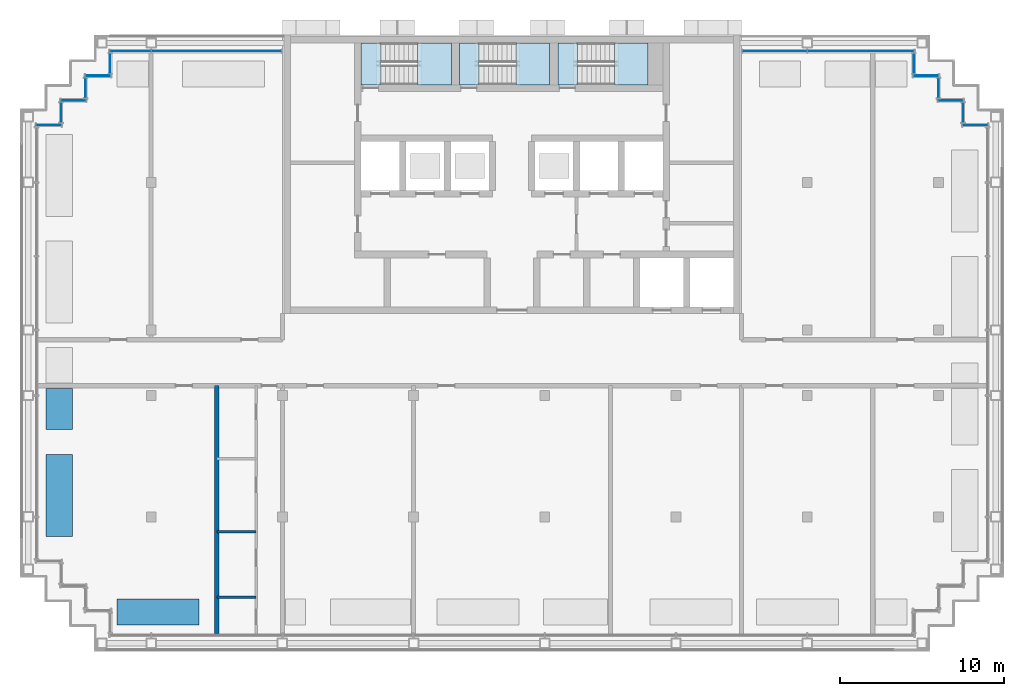
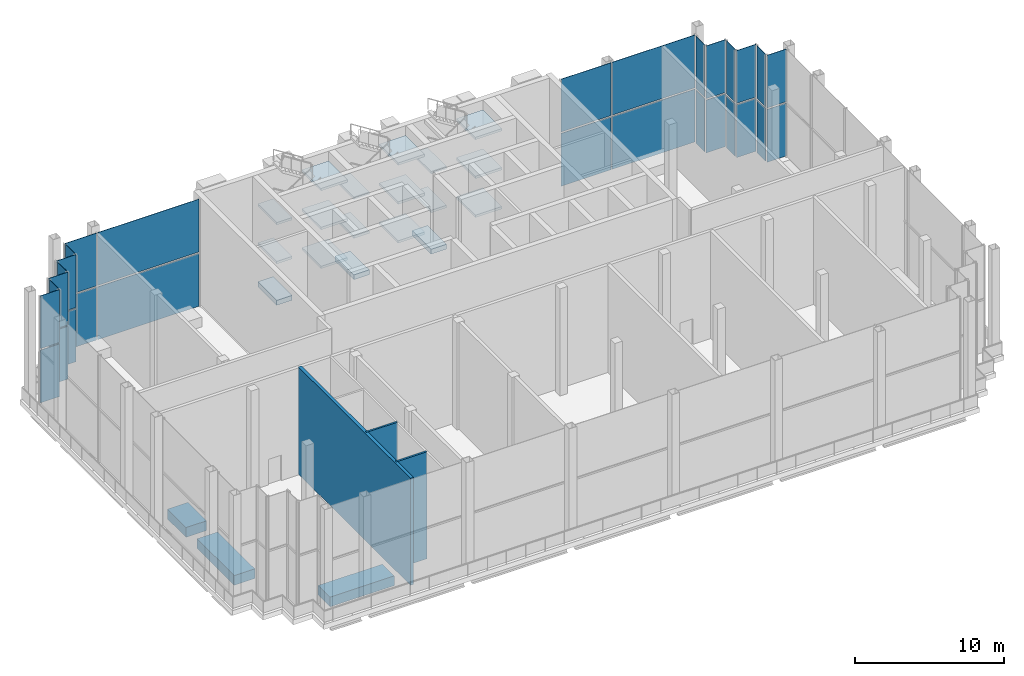
# One storey, part 7 of 15: 32 plates, 18 slabs, 6 walls, 17 elements without a shape of their own.
"""IFC4 building model written with IfcOpenShell, lengths in metres."""

import ifcopenshell
import ifcopenshell.guid

model = None  # the IFC model being written
_history = None  # IfcOwnerHistory: only IFC2X3 demands one
_inside = {}  # id of a spatial element -> (the spatial element, [elements in it])
_under = {}  # id of a project, library or spatial element -> (it, [spatial elements below it])
_declared = {}  # id of a project -> (the project, [libraries it declares])
_typed = {}  # id of a type object -> (the type object, [elements of that type])
_made_of = {}  # id of a material, layer set ... -> (it, [elements and type objects made of it])


def new_model(schema):
    """Start an empty IFC model of exactly this schema.

    Asked for "IFC4X3", IfcOpenShell would pick the latest addendum, in which some entities
    have other attributes; the version numbers below select the first issue.
    IFC2X3 requires an IfcOwnerHistory on every rooted entity: one is made here for all.
    """
    global model, _history
    if schema == "IFC4X3":
        model = ifcopenshell.file(schema_version=(4, 3, 0, 0))
    else:
        model = ifcopenshell.file(schema=schema)
    _inside.clear()
    _under.clear()
    _declared.clear()
    _typed.clear()
    _made_of.clear()
    _history = None
    if model.schema == "IFC2X3":
        org = make("IfcOrganization", Name="unknown")
        user = make(
            "IfcPersonAndOrganization",
            ThePerson=make("IfcPerson", FamilyName="unknown"),
            TheOrganization=org,
        )
        app = make(
            "IfcApplication",
            ApplicationDeveloper=org,
            Version="unknown",
            ApplicationFullName="unknown",
            ApplicationIdentifier="unknown",
        )
        _history = make(
            "IfcOwnerHistory",
            OwningUser=user,
            OwningApplication=app,
            ChangeAction="ADDED",
            CreationDate=0,
        )
    return model


def make(cls, **values):
    """One entity of the class cls with the attributes given. An attribute that is None is left unset."""
    return model.create_entity(
        cls, **{name: value for name, value in values.items() if value is not None}
    )


def rooted(cls, **values):
    """An entity with a GlobalId (a new one), such as an element, a storey or a relation."""
    return make(cls, GlobalId=ifcopenshell.guid.new(), OwnerHistory=_history, **values)


def si_unit(unit_type, name, prefix=None):
    """IfcSIUnit, for example si_unit("LENGTHUNIT", "METRE", prefix="MILLI")."""
    return make("IfcSIUnit", UnitType=unit_type, Prefix=prefix, Name=name)


def assignment(units):
    """IfcUnitAssignment: the units of a project."""
    return None if units is None else make("IfcUnitAssignment", Units=units)


def point(xyz):
    """IfcCartesianPoint."""
    return None if xyz is None else make("IfcCartesianPoint", Coordinates=xyz)


def direction(xyz):
    """IfcDirection."""
    return None if xyz is None else make("IfcDirection", DirectionRatios=xyz)


def frame(location, z_axis=None, x_axis=None):
    """IfcAxis2Placement3D, a coordinate frame: its origin and axes. An axis left out is left unset."""
    return make(
        "IfcAxis2Placement3D",
        Location=point(location),
        Axis=direction(z_axis),
        RefDirection=direction(x_axis),
    )


def frame_2d(location, x_axis=None):
    """IfcAxis2Placement2D, a coordinate frame in the plane: its origin and x axis."""
    return make(
        "IfcAxis2Placement2D", Location=point(location), RefDirection=direction(x_axis)
    )


def origin():
    """The frame at (0, 0, 0) with its axes left unset."""
    return frame((0.0, 0.0, 0.0))


def origin_2d():
    """The frame at (0, 0) in the plane with its x axis left unset."""
    return frame_2d((0.0, 0.0))


def place(relative_to, where):
    """IfcLocalPlacement: puts the frame where relative to a parent placement (None: the world)."""
    return make(
        "IfcLocalPlacement", PlacementRelTo=relative_to, RelativePlacement=where
    )


def context(
    kind, dimensions, precision=None, world=None, true_north=None, identifier=None
):
    """IfcGeometricRepresentationContext, for example the 3D "Model" context."""
    return make(
        "IfcGeometricRepresentationContext",
        ContextIdentifier=identifier,
        ContextType=kind,
        CoordinateSpaceDimension=dimensions,
        Precision=precision,
        WorldCoordinateSystem=world,
        TrueNorth=true_north,
    )


def subcontext(parent, identifier, kind, view, scale=None):
    """IfcGeometricRepresentationSubContext, for example "Body" below "Model"."""
    return make(
        "IfcGeometricRepresentationSubContext",
        ContextIdentifier=identifier,
        ContextType=kind,
        ParentContext=parent,
        TargetScale=scale,
        TargetView=view,
    )


def project(units=None, contexts=None):
    """IfcProject with its units and contexts."""
    return rooted(
        "IfcProject",
        Name="project",
        RepresentationContexts=contexts,
        UnitsInContext=assignment(units),
    )


def spatial(cls, under=None, at=None, **own):
    """A site, building, storey or space (cls), placed at a placement, below another one or the project."""
    s = rooted(cls, ObjectPlacement=at, **own)
    if under is not None:
        _under.setdefault(under.id(), (under, []))[1].append(s)
    return s


def polyline(points):
    """IfcPolyline through the points."""
    return make("IfcPolyline", Points=[point(p) for p in points])


def profile(cls, at=None, kind="AREA", **sizes):
    """A parametric profile (cls). Its sizes go by their IFC names, for example OverallWidth=200.0."""
    return make(cls, ProfileType=kind, Position=at, **sizes)


def rectangle(**sizes):
    """IfcRectangleProfileDef."""
    return profile("IfcRectangleProfileDef", **sizes)


def outline(outer, holes=None, kind="AREA"):
    """IfcArbitraryClosedProfileDef: a profile drawn as a closed curve; with holes, ...WithVoids."""
    if holes is None:
        return make("IfcArbitraryClosedProfileDef", ProfileType=kind, OuterCurve=outer)
    return make(
        "IfcArbitraryProfileDefWithVoids",
        ProfileType=kind,
        OuterCurve=outer,
        InnerCurves=holes,
    )


def extrude(swept, where, along, depth):
    """IfcExtrudedAreaSolid: the profile swept, set in the frame where, extruded along a direction by depth."""
    return make(
        "IfcExtrudedAreaSolid",
        SweptArea=swept,
        Position=where,
        ExtrudedDirection=direction(along),
        Depth=depth,
    )


def shape(context_of_items, identifier, shape_type, items):
    """IfcShapeRepresentation: the items that make up one representation, for example the "Body"."""
    return make(
        "IfcShapeRepresentation",
        ContextOfItems=context_of_items,
        RepresentationIdentifier=identifier,
        RepresentationType=shape_type,
        Items=items,
    )


def material(Name=None, Category=None):
    """IfcMaterial."""
    return make("IfcMaterial", Name=Name, Category=Category)


def layer(
    of_material, thickness, ventilated=None, Name=None, Category=None, Priority=None
):
    """IfcMaterialLayer: one layer of a wall or slab, of a material (None: an air gap)."""
    return make(
        "IfcMaterialLayer",
        Material=of_material,
        LayerThickness=thickness,
        IsVentilated=ventilated,
        Name=Name,
        Category=Category,
        Priority=Priority,
    )


def layer_set(layers, Name=None):
    """IfcMaterialLayerSet."""
    return make("IfcMaterialLayerSet", MaterialLayers=layers, LayerSetName=Name)


def made_of(thing, what):
    """Note that an element or type object is made of a material, layer set ...; save() writes the relation."""
    if what is not None:
        _made_of.setdefault(what.id(), (what, []))[1].append(thing)
    return thing


def type_object(cls, material=None, **own):
    """A type object (cls), such as IfcWallType, which elements share."""
    return made_of(rooted(cls, **own), material)


def element(
    cls,
    number,
    at=None,
    inside=None,
    cuts=None,
    type_object=None,
    material=None,
    context=None,
    identifier="Body",
    shape_type=None,
    held_by="IfcProductDefinitionShape",
    body=None,
    shapes=None,
    **own,
):
    """One element of the class cls, such as IfcWall. Its Tag is "e" and its number.

    at: its placement. inside: the storey or other place that contains it. cuts: it is an
    opening in that element (IfcRelVoidsElement). A single representation is given by context,
    identifier, shape_type and body (its items); several are given by shapes. held_by: the class
    of the entity that holds the representations. save() writes the other relations.
    """
    e = rooted(cls, Tag="e%d" % number, ObjectPlacement=at, **own)
    if body is not None:
        shapes = [shape(context, identifier, shape_type, body)]
    if shapes is not None:
        e.Representation = make(held_by, Representations=shapes)
    if inside is not None:
        _inside.setdefault(inside.id(), (inside, []))[1].append(e)
    if cuts is not None:
        rooted(
            "IfcRelVoidsElement", RelatingBuildingElement=cuts, RelatedOpeningElement=e
        )
    if type_object is not None:
        _typed.setdefault(type_object.id(), (type_object, []))[1].append(e)
    return made_of(e, material)


def aggregate(whole, parts):
    """IfcRelAggregates: a whole, such as a stair, and the parts it consists of."""
    return rooted("IfcRelAggregates", RelatingObject=whole, RelatedObjects=parts)


def save(model, path):
    """Write the relations noted so far, then the file.

    IfcRelAggregates (storeys below a building ...), IfcRelContainedInSpatialStructure (elements
    in a storey), IfcRelDefinesByType, IfcRelAssociatesMaterial and IfcRelDeclares: one each for
    every whole, place, type object, material and project.
    """
    for whole, parts in _under.values():
        aggregate(whole, parts)
    for where, things in _inside.values():
        rooted(
            "IfcRelContainedInSpatialStructure",
            RelatedElements=things,
            RelatingStructure=where,
        )
    for kind, things in _typed.values():
        rooted("IfcRelDefinesByType", RelatedObjects=things, RelatingType=kind)
    for what, things in _made_of.values():
        rooted("IfcRelAssociatesMaterial", RelatedObjects=things, RelatingMaterial=what)
    for by, libraries in _declared.values():
        rooted("IfcRelDeclares", RelatingContext=by, RelatedDefinitions=libraries)
    model.write(path)


model = new_model("IFC4")

# Units and contexts
model_context = context("Model", 3, precision=1e-05, world=origin(), true_north=direction((0.0, 1.0)))
body_context = subcontext(model_context, "Body", "Model", "MODEL_VIEW")
ifc_project = project(units=[si_unit("LENGTHUNIT", "METRE"), si_unit("AREAUNIT", "SQUARE_METRE"), si_unit("VOLUMEUNIT", "CUBIC_METRE"), si_unit("PLANEANGLEUNIT", "RADIAN"), si_unit("MASSUNIT", "GRAM", prefix="KILO")], contexts=[model_context])

# Site, building, storey
site_placement = place(None, origin())
site = spatial("IfcSite", under=ifc_project, at=site_placement, CompositionType="ELEMENT")
building_placement = place(site_placement, origin())
building = spatial("IfcBuilding", under=site, at=building_placement, Name="Vidyagriha Tower", CompositionType="ELEMENT")
storey_placement = place(building_placement, frame((0.0, 0.0, 239.60009765625)))
storey = spatial("IfcBuildingStorey", under=building, at=storey_placement, Name="L63", CompositionType="ELEMENT", Elevation=239.60009765625)

# Slabs
ifc_material_1 = material(Name="Concrete C40/50", Category="concrete")
ifc_layer_1 = layer(ifc_material_1, 0.39990234375)
ifc_layer_set_1 = layer_set([ifc_layer_1], Name="Concrete C40/50")
slab_type_1 = type_object("IfcSlabType", Name="Exit stair floor landing 400 mm", PredefinedType="LANDING", material=ifc_layer_set_1)
slab_1_placement = place(storey_placement, frame((0.0, 0.0, -0.400146484375)))
element("IfcSlab", 1, at=slab_1_placement, inside=storey, type_object=slab_type_1, Name="ST1 floor landing L63", PredefinedType="LANDING", context=body_context, shape_type="SweptSolid", body=[
    extrude(outline(polyline([(-9.199951171875, 16.949951171875), (-8.0, 16.949951171875), (-8.0, 19.5), (-9.199951171875, 19.5), (-9.199951171875, 16.949951171875)])), origin(), (0.0, 0.0, 1.0), 0.400146484375),
])
slab_2_placement = place(storey_placement, frame((0.0, 0.0, -0.400146484375)))
element("IfcSlab", 2, at=slab_2_placement, inside=storey, type_object=slab_type_1, Name="ST2 floor landing L63", PredefinedType="LANDING", context=body_context, shape_type="SweptSolid", body=[
    extrude(outline(polyline([(-3.199951171875, 16.949951171875), (-2.0, 16.949951171875), (-2.0, 19.5), (-3.199951171875, 19.5), (-3.199951171875, 16.949951171875)])), origin(), (0.0, 0.0, 1.0), 0.400146484375),
])
slab_3_placement = place(storey_placement, frame((0.0, 0.0, -0.400146484375)))
element("IfcSlab", 3, at=slab_3_placement, inside=storey, type_object=slab_type_1, Name="ST3 floor landing L63", PredefinedType="LANDING", context=body_context, shape_type="SweptSolid", body=[
    extrude(outline(polyline([(2.800048828125, 16.949951171875), (4.0, 16.949951171875), (4.0, 19.5), (2.800048828125, 19.5), (2.800048828125, 16.949951171875)])), origin(), (0.0, 0.0, 1.0), 0.400146484375),
])

# Stair, slabs
ifc_material_2 = material(Name="Concrete C40/50", Category="concrete")
stair_type = type_object("IfcStairType", Name="Exit stair, half-turn, precast flights", PredefinedType="HALF_TURN_STAIR", material=ifc_material_2)
stair_1_placement = place(storey_placement, origin())
stair_1 = element("IfcStair", 4, at=stair_1_placement, inside=storey, type_object=stair_type, Name="L63 Exit Stair ST1", PredefinedType="HALF_TURN_STAIR")
ifc_material_3 = material(Name="Concrete C40/50", Category="concrete")
ifc_layer_2 = layer(ifc_material_3, 0.199951171875)
ifc_layer_set_2 = layer_set([ifc_layer_2], Name="Concrete C40/50")
slab_type_2 = type_object("IfcSlabType", Name="Exit stair landing 200 mm", PredefinedType="LANDING", material=ifc_layer_set_2)
slab_4_placement = place(storey_placement, frame((0.0, 0.0, 1.39990234375)))
slab_4 = element("IfcSlab", 5, at=slab_4_placement, type_object=slab_type_2, Name="ST1 landing 1", PredefinedType="LANDING", context=body_context, shape_type="SweptSolid", body=[
    extrude(outline(polyline([(-5.760009765625, 16.949951171875), (-3.699951171875, 16.949951171875), (-3.699951171875, 19.5), (-5.760009765625, 19.5), (-5.760009765625, 16.949951171875)])), origin(), (0.0, 0.0, 1.0), 0.199951171875),
])
slab_5_placement = place(storey_placement, frame((0.0, 0.0, 3.0)))
slab_5 = element("IfcSlab", 6, at=slab_5_placement, type_object=slab_type_2, Name="ST1 landing 2", PredefinedType="LANDING", context=body_context, shape_type="SweptSolid", body=[
    extrude(outline(polyline([(-9.199951171875, 16.949951171875), (-8.0, 16.949951171875), (-8.0, 19.5), (-9.199951171875, 19.5), (-9.199951171875, 16.949951171875)])), origin(), (0.0, 0.0, 1.0), 0.199951171875),
])
slab_6_placement = place(storey_placement, frame((0.0, 0.0, 4.599853515625)))
slab_6 = element("IfcSlab", 7, at=slab_6_placement, type_object=slab_type_2, Name="ST1 landing 3", PredefinedType="LANDING", context=body_context, shape_type="SweptSolid", body=[
    extrude(outline(polyline([(-5.760009765625, 16.949951171875), (-3.699951171875, 16.949951171875), (-3.699951171875, 19.5), (-5.760009765625, 19.5), (-5.760009765625, 16.949951171875)])), origin(), (0.0, 0.0, 1.0), 0.199951171875),
])
slab_7_placement = place(storey_placement, frame((0.0, 0.0, 6.199951171875)))
slab_7 = element("IfcSlab", 8, at=slab_7_placement, type_object=slab_type_2, Name="ST1 landing 4", PredefinedType="LANDING", context=body_context, shape_type="SweptSolid", body=[
    extrude(outline(polyline([(-9.199951171875, 16.949951171875), (-8.0, 16.949951171875), (-8.0, 19.5), (-9.199951171875, 19.5), (-9.199951171875, 16.949951171875)])), origin(), (0.0, 0.0, 1.0), 0.199951171875),
])
slab_8_placement = place(storey_placement, frame((0.0, 0.0, 7.7998046875)))
slab_8 = element("IfcSlab", 9, at=slab_8_placement, type_object=slab_type_2, Name="ST1 landing 5", PredefinedType="LANDING", context=body_context, shape_type="SweptSolid", body=[
    extrude(outline(polyline([(-5.760009765625, 16.949951171875), (-3.699951171875, 16.949951171875), (-3.699951171875, 19.5), (-5.760009765625, 19.5), (-5.760009765625, 16.949951171875)])), origin(), (0.0, 0.0, 1.0), 0.2001953125),
])
aggregate(stair_1, [slab_4, slab_5, slab_6, slab_7, slab_8])

stair_2_placement = place(storey_placement, origin())
stair_2 = element("IfcStair", 10, at=stair_2_placement, inside=storey, type_object=stair_type, Name="L63 Exit Stair ST2", PredefinedType="HALF_TURN_STAIR")
slab_9_placement = place(storey_placement, frame((0.0, 0.0, 1.39990234375)))
slab_9 = element("IfcSlab", 11, at=slab_9_placement, type_object=slab_type_2, Name="ST2 landing 1", PredefinedType="LANDING", context=body_context, shape_type="SweptSolid", body=[
    extrude(outline(polyline([(0.239990234375, 16.949951171875), (2.300048828125, 16.949951171875), (2.300048828125, 19.5), (0.239990234375, 19.5), (0.239990234375, 16.949951171875)])), origin(), (0.0, 0.0, 1.0), 0.199951171875),
])
slab_10_placement = place(storey_placement, frame((0.0, 0.0, 3.0)))
slab_10 = element("IfcSlab", 12, at=slab_10_placement, type_object=slab_type_2, Name="ST2 landing 2", PredefinedType="LANDING", context=body_context, shape_type="SweptSolid", body=[
    extrude(outline(polyline([(-3.199951171875, 16.949951171875), (-2.0, 16.949951171875), (-2.0, 19.5), (-3.199951171875, 19.5), (-3.199951171875, 16.949951171875)])), origin(), (0.0, 0.0, 1.0), 0.199951171875),
])
slab_11_placement = place(storey_placement, frame((0.0, 0.0, 4.599853515625)))
slab_11 = element("IfcSlab", 13, at=slab_11_placement, type_object=slab_type_2, Name="ST2 landing 3", PredefinedType="LANDING", context=body_context, shape_type="SweptSolid", body=[
    extrude(outline(polyline([(0.239990234375, 16.949951171875), (2.300048828125, 16.949951171875), (2.300048828125, 19.5), (0.239990234375, 19.5), (0.239990234375, 16.949951171875)])), origin(), (0.0, 0.0, 1.0), 0.199951171875),
])
slab_12_placement = place(storey_placement, frame((0.0, 0.0, 6.199951171875)))
slab_12 = element("IfcSlab", 14, at=slab_12_placement, type_object=slab_type_2, Name="ST2 landing 4", PredefinedType="LANDING", context=body_context, shape_type="SweptSolid", body=[
    extrude(outline(polyline([(-3.199951171875, 16.949951171875), (-2.0, 16.949951171875), (-2.0, 19.5), (-3.199951171875, 19.5), (-3.199951171875, 16.949951171875)])), origin(), (0.0, 0.0, 1.0), 0.199951171875),
])
slab_13_placement = place(storey_placement, frame((0.0, 0.0, 7.7998046875)))
slab_13 = element("IfcSlab", 15, at=slab_13_placement, type_object=slab_type_2, Name="ST2 landing 5", PredefinedType="LANDING", context=body_context, shape_type="SweptSolid", body=[
    extrude(outline(polyline([(0.239990234375, 16.949951171875), (2.300048828125, 16.949951171875), (2.300048828125, 19.5), (0.239990234375, 19.5), (0.239990234375, 16.949951171875)])), origin(), (0.0, 0.0, 1.0), 0.2001953125),
])
aggregate(stair_2, [slab_9, slab_10, slab_11, slab_12, slab_13])

stair_3_placement = place(storey_placement, origin())
stair_3 = element("IfcStair", 16, at=stair_3_placement, inside=storey, type_object=stair_type, Name="L63 Exit Stair ST3", PredefinedType="HALF_TURN_STAIR")
slab_14_placement = place(storey_placement, frame((0.0, 0.0, 1.39990234375)))
slab_14 = element("IfcSlab", 17, at=slab_14_placement, type_object=slab_type_2, Name="ST3 landing 1", PredefinedType="LANDING", context=body_context, shape_type="SweptSolid", body=[
    extrude(outline(polyline([(6.239990234375, 16.949951171875), (8.300048828125, 16.949951171875), (8.300048828125, 19.5), (6.239990234375, 19.5), (6.239990234375, 16.949951171875)])), origin(), (0.0, 0.0, 1.0), 0.199951171875),
])
slab_15_placement = place(storey_placement, frame((0.0, 0.0, 3.0)))
slab_15 = element("IfcSlab", 18, at=slab_15_placement, type_object=slab_type_2, Name="ST3 landing 2", PredefinedType="LANDING", context=body_context, shape_type="SweptSolid", body=[
    extrude(outline(polyline([(2.800048828125, 16.949951171875), (4.0, 16.949951171875), (4.0, 19.5), (2.800048828125, 19.5), (2.800048828125, 16.949951171875)])), origin(), (0.0, 0.0, 1.0), 0.199951171875),
])
slab_16_placement = place(storey_placement, frame((0.0, 0.0, 4.599853515625)))
slab_16 = element("IfcSlab", 19, at=slab_16_placement, type_object=slab_type_2, Name="ST3 landing 3", PredefinedType="LANDING", context=body_context, shape_type="SweptSolid", body=[
    extrude(outline(polyline([(6.239990234375, 16.949951171875), (8.300048828125, 16.949951171875), (8.300048828125, 19.5), (6.239990234375, 19.5), (6.239990234375, 16.949951171875)])), origin(), (0.0, 0.0, 1.0), 0.199951171875),
])
slab_17_placement = place(storey_placement, frame((0.0, 0.0, 6.199951171875)))
slab_17 = element("IfcSlab", 20, at=slab_17_placement, type_object=slab_type_2, Name="ST3 landing 4", PredefinedType="LANDING", context=body_context, shape_type="SweptSolid", body=[
    extrude(outline(polyline([(2.800048828125, 16.949951171875), (4.0, 16.949951171875), (4.0, 19.5), (2.800048828125, 19.5), (2.800048828125, 16.949951171875)])), origin(), (0.0, 0.0, 1.0), 0.199951171875),
])
slab_18_placement = place(storey_placement, frame((0.0, 0.0, 7.7998046875)))
slab_18 = element("IfcSlab", 21, at=slab_18_placement, type_object=slab_type_2, Name="ST3 landing 5", PredefinedType="LANDING", context=body_context, shape_type="SweptSolid", body=[
    extrude(outline(polyline([(6.239990234375, 16.949951171875), (8.300048828125, 16.949951171875), (8.300048828125, 19.5), (6.239990234375, 19.5), (6.239990234375, 16.949951171875)])), origin(), (0.0, 0.0, 1.0), 0.2001953125),
])
aggregate(stair_3, [slab_14, slab_15, slab_16, slab_17, slab_18])

# Curtain wall, plates
ifc_material_4 = material(Name="Aluminium and glass curtain wall", Category="aluminium")
curtain_wall_type = type_object("IfcCurtainWallType", Name="Winter garden glazing wall", PredefinedType="USERDEFINED", material=ifc_material_4)
curtain_wall_1_placement = place(storey_placement, origin())
curtain_wall_1 = element("IfcCurtainWall", 22, at=curtain_wall_1_placement, inside=storey, type_object=curtain_wall_type, Name="CW3 winter garden glazing", ObjectType="STICK GLAZING", PredefinedType="USERDEFINED")
ifc_material_5 = material(Name="Laminated green-tint solar-control glass", Category="glass")
ifc_layer_3 = layer(ifc_material_5, 0.031982421875)
ifc_layer_set_3 = layer_set([ifc_layer_3], Name="Laminated green-tint solar-control glass")
plate_type = type_object("IfcPlateType", Name="Green-tint winter garden glass panel", PredefinedType="CURTAIN_PANEL", material=ifc_layer_set_3)
plate_1_placement = place(storey_placement, frame((28.25, 14.5, 0.0), z_axis=(0.0, 0.0, 1.0), x_axis=(-1.0, 0.0, 0.0)))
plate_1 = element("IfcPlate", 23, at=plate_1_placement, type_object=plate_type, Name="CW3 panel 1.1", PredefinedType="CURTAIN_PANEL", context=body_context, shape_type="SweptSolid", body=[
    extrude(rectangle(XDim=1.5, YDim=0.031982421875, at=origin_2d()), origin(), (0.0, 0.0, 1.0), 4.340087890625),
])
plate_2_placement = place(storey_placement, frame((28.25, 14.5, 4.4599609375), z_axis=(0.0, 0.0, 1.0), x_axis=(-1.0, 0.0, 0.0)))
plate_2 = element("IfcPlate", 24, at=plate_2_placement, type_object=plate_type, Name="CW3 panel 1.2", PredefinedType="CURTAIN_PANEL", context=body_context, shape_type="SweptSolid", body=[
    extrude(rectangle(XDim=1.5, YDim=0.031982421875, at=origin_2d()), origin(), (0.0, 0.0, 1.0), 4.340087890625),
])
aggregate(curtain_wall_1, [plate_1, plate_2])

curtain_wall_2_placement = place(storey_placement, origin())
curtain_wall_2 = element("IfcCurtainWall", 25, at=curtain_wall_2_placement, inside=storey, type_object=curtain_wall_type, Name="CW3 winter garden glazing", ObjectType="STICK GLAZING", PredefinedType="USERDEFINED")
plate_3_placement = place(storey_placement, frame((27.5, 15.25, 0.0), z_axis=(0.0, 0.0, 1.0), x_axis=(0.0, 1.0, 0.0)))
plate_3 = element("IfcPlate", 26, at=plate_3_placement, type_object=plate_type, Name="CW3 panel 1.1", PredefinedType="CURTAIN_PANEL", context=body_context, shape_type="SweptSolid", body=[
    extrude(rectangle(XDim=1.179931640625, YDim=0.031982421875, at=origin_2d()), origin(), (0.0, 0.0, 1.0), 4.340087890625),
])
plate_4_placement = place(storey_placement, frame((27.5, 15.25, 4.4599609375), z_axis=(0.0, 0.0, 1.0), x_axis=(0.0, 1.0, 0.0)))
plate_4 = element("IfcPlate", 27, at=plate_4_placement, type_object=plate_type, Name="CW3 panel 1.2", PredefinedType="CURTAIN_PANEL", context=body_context, shape_type="SweptSolid", body=[
    extrude(rectangle(XDim=1.179931640625, YDim=0.031982421875, at=origin_2d()), origin(), (0.0, 0.0, 1.0), 4.340087890625),
])
aggregate(curtain_wall_2, [plate_3, plate_4])

curtain_wall_3_placement = place(storey_placement, origin())
curtain_wall_3 = element("IfcCurtainWall", 28, at=curtain_wall_3_placement, inside=storey, type_object=curtain_wall_type, Name="CW3 winter garden glazing", ObjectType="STICK GLAZING", PredefinedType="USERDEFINED")
plate_5_placement = place(storey_placement, frame((26.75, 16.0, 0.0), z_axis=(0.0, 0.0, 1.0), x_axis=(-1.0, 0.0, 0.0)))
plate_5 = element("IfcPlate", 29, at=plate_5_placement, type_object=plate_type, Name="CW3 panel 1.1", PredefinedType="CURTAIN_PANEL", context=body_context, shape_type="SweptSolid", body=[
    extrude(rectangle(XDim=1.5, YDim=0.031982421875, at=origin_2d()), origin(), (0.0, 0.0, 1.0), 4.340087890625),
])
plate_6_placement = place(storey_placement, frame((26.75, 16.0, 4.4599609375), z_axis=(0.0, 0.0, 1.0), x_axis=(-1.0, 0.0, 0.0)))
plate_6 = element("IfcPlate", 30, at=plate_6_placement, type_object=plate_type, Name="CW3 panel 1.2", PredefinedType="CURTAIN_PANEL", context=body_context, shape_type="SweptSolid", body=[
    extrude(rectangle(XDim=1.5, YDim=0.031982421875, at=origin_2d()), origin(), (0.0, 0.0, 1.0), 4.340087890625),
])
aggregate(curtain_wall_3, [plate_5, plate_6])

curtain_wall_4_placement = place(storey_placement, origin())
curtain_wall_4 = element("IfcCurtainWall", 31, at=curtain_wall_4_placement, inside=storey, type_object=curtain_wall_type, Name="CW3 winter garden glazing", ObjectType="STICK GLAZING", PredefinedType="USERDEFINED")
plate_7_placement = place(storey_placement, frame((26.0, 16.75, 0.0), z_axis=(0.0, 0.0, 1.0), x_axis=(0.0, 1.0, 0.0)))
plate_7 = element("IfcPlate", 32, at=plate_7_placement, type_object=plate_type, Name="CW3 panel 1.1", PredefinedType="CURTAIN_PANEL", context=body_context, shape_type="SweptSolid", body=[
    extrude(rectangle(XDim=1.179931640625, YDim=0.031982421875, at=origin_2d()), origin(), (0.0, 0.0, 1.0), 4.340087890625),
])
plate_8_placement = place(storey_placement, frame((26.0, 16.75, 4.4599609375), z_axis=(0.0, 0.0, 1.0), x_axis=(0.0, 1.0, 0.0)))
plate_8 = element("IfcPlate", 33, at=plate_8_placement, type_object=plate_type, Name="CW3 panel 1.2", PredefinedType="CURTAIN_PANEL", context=body_context, shape_type="SweptSolid", body=[
    extrude(rectangle(XDim=1.179931640625, YDim=0.031982421875, at=origin_2d()), origin(), (0.0, 0.0, 1.0), 4.340087890625),
])
aggregate(curtain_wall_4, [plate_7, plate_8])

curtain_wall_5_placement = place(storey_placement, origin())
curtain_wall_5 = element("IfcCurtainWall", 34, at=curtain_wall_5_placement, inside=storey, type_object=curtain_wall_type, Name="CW3 winter garden glazing", ObjectType="STICK GLAZING", PredefinedType="USERDEFINED")
plate_9_placement = place(storey_placement, frame((25.25, 17.5, 0.0), z_axis=(0.0, 0.0, 1.0), x_axis=(-1.0, 0.0, 0.0)))
plate_9 = element("IfcPlate", 35, at=plate_9_placement, type_object=plate_type, Name="CW3 panel 1.1", PredefinedType="CURTAIN_PANEL", context=body_context, shape_type="SweptSolid", body=[
    extrude(rectangle(XDim=1.5, YDim=0.031982421875, at=origin_2d()), origin(), (0.0, 0.0, 1.0), 4.340087890625),
])
plate_10_placement = place(storey_placement, frame((25.25, 17.5, 4.4599609375), z_axis=(0.0, 0.0, 1.0), x_axis=(-1.0, 0.0, 0.0)))
plate_10 = element("IfcPlate", 36, at=plate_10_placement, type_object=plate_type, Name="CW3 panel 1.2", PredefinedType="CURTAIN_PANEL", context=body_context, shape_type="SweptSolid", body=[
    extrude(rectangle(XDim=1.5, YDim=0.031982421875, at=origin_2d()), origin(), (0.0, 0.0, 1.0), 4.340087890625),
])
aggregate(curtain_wall_5, [plate_9, plate_10])

curtain_wall_6_placement = place(storey_placement, origin())
curtain_wall_6 = element("IfcCurtainWall", 37, at=curtain_wall_6_placement, inside=storey, type_object=curtain_wall_type, Name="CW3 winter garden glazing", ObjectType="STICK GLAZING", PredefinedType="USERDEFINED")
plate_11_placement = place(storey_placement, frame((24.5, 18.25, 0.0), z_axis=(0.0, 0.0, 1.0), x_axis=(0.0, 1.0, 0.0)))
plate_11 = element("IfcPlate", 38, at=plate_11_placement, type_object=plate_type, Name="CW3 panel 1.1", PredefinedType="CURTAIN_PANEL", context=body_context, shape_type="SweptSolid", body=[
    extrude(rectangle(XDim=1.179931640625, YDim=0.031982421875, at=origin_2d()), origin(), (0.0, 0.0, 1.0), 4.340087890625),
])
plate_12_placement = place(storey_placement, frame((24.5, 18.25, 4.4599609375), z_axis=(0.0, 0.0, 1.0), x_axis=(0.0, 1.0, 0.0)))
plate_12 = element("IfcPlate", 39, at=plate_12_placement, type_object=plate_type, Name="CW3 panel 1.2", PredefinedType="CURTAIN_PANEL", context=body_context, shape_type="SweptSolid", body=[
    extrude(rectangle(XDim=1.179931640625, YDim=0.031982421875, at=origin_2d()), origin(), (0.0, 0.0, 1.0), 4.340087890625),
])
aggregate(curtain_wall_6, [plate_11, plate_12])

curtain_wall_7_placement = place(storey_placement, origin())
curtain_wall_7 = element("IfcCurtainWall", 40, at=curtain_wall_7_placement, inside=storey, type_object=curtain_wall_type, Name="CW3 winter garden glazing", ObjectType="STICK GLAZING", PredefinedType="USERDEFINED")
plate_13_placement = place(storey_placement, frame((21.27001953125, 19.0, 0.0), z_axis=(0.0, 0.0, 1.0), x_axis=(-1.0, 0.0, 0.0)))
plate_13 = element("IfcPlate", 41, at=plate_13_placement, type_object=plate_type, Name="CW3 panel 1.1", PredefinedType="CURTAIN_PANEL", context=body_context, shape_type="SweptSolid", body=[
    extrude(rectangle(XDim=6.4599609375, YDim=0.031982421875, at=origin_2d()), origin(), (0.0, 0.0, 1.0), 4.340087890625),
])
plate_14_placement = place(storey_placement, frame((21.27001953125, 19.0, 4.4599609375), z_axis=(0.0, 0.0, 1.0), x_axis=(-1.0, 0.0, 0.0)))
plate_14 = element("IfcPlate", 42, at=plate_14_placement, type_object=plate_type, Name="CW3 panel 1.2", PredefinedType="CURTAIN_PANEL", context=body_context, shape_type="SweptSolid", body=[
    extrude(rectangle(XDim=6.4599609375, YDim=0.031982421875, at=origin_2d()), origin(), (0.0, 0.0, 1.0), 4.340087890625),
])
plate_15_placement = place(storey_placement, frame((16.02001953125, 19.0, 0.0), z_axis=(0.0, 0.0, 1.0), x_axis=(-1.0, 0.0, 0.0)))
plate_15 = element("IfcPlate", 43, at=plate_15_placement, type_object=plate_type, Name="CW3 panel 2.1", PredefinedType="CURTAIN_PANEL", context=body_context, shape_type="SweptSolid", body=[
    extrude(rectangle(XDim=3.8798828125, YDim=0.031982421875, at=origin_2d()), origin(), (0.0, 0.0, 1.0), 4.340087890625),
])
plate_16_placement = place(storey_placement, frame((16.02001953125, 19.0, 4.4599609375), z_axis=(0.0, 0.0, 1.0), x_axis=(-1.0, 0.0, 0.0)))
plate_16 = element("IfcPlate", 44, at=plate_16_placement, type_object=plate_type, Name="CW3 panel 2.2", PredefinedType="CURTAIN_PANEL", context=body_context, shape_type="SweptSolid", body=[
    extrude(rectangle(XDim=3.8798828125, YDim=0.031982421875, at=origin_2d()), origin(), (0.0, 0.0, 1.0), 4.340087890625),
])
aggregate(curtain_wall_7, [plate_13, plate_14, plate_15, plate_16])

curtain_wall_8_placement = place(storey_placement, origin())
curtain_wall_8 = element("IfcCurtainWall", 45, at=curtain_wall_8_placement, inside=storey, type_object=curtain_wall_type, Name="CW3 winter garden glazing", ObjectType="STICK GLAZING", PredefinedType="USERDEFINED")
plate_17_placement = place(storey_placement, frame((-18.02001953125, 19.0, 0.0), z_axis=(0.0, 0.0, 1.0), x_axis=(-1.0, 0.0, 0.0)))
plate_17 = element("IfcPlate", 46, at=plate_17_placement, type_object=plate_type, Name="CW3 panel 1.1", PredefinedType="CURTAIN_PANEL", context=body_context, shape_type="SweptSolid", body=[
    extrude(rectangle(XDim=7.8798828125, YDim=0.031982421875, at=origin_2d()), origin(), (0.0, 0.0, 1.0), 4.340087890625),
])
plate_18_placement = place(storey_placement, frame((-18.02001953125, 19.0, 4.4599609375), z_axis=(0.0, 0.0, 1.0), x_axis=(-1.0, 0.0, 0.0)))
plate_18 = element("IfcPlate", 47, at=plate_18_placement, type_object=plate_type, Name="CW3 panel 1.2", PredefinedType="CURTAIN_PANEL", context=body_context, shape_type="SweptSolid", body=[
    extrude(rectangle(XDim=7.8798828125, YDim=0.031982421875, at=origin_2d()), origin(), (0.0, 0.0, 1.0), 4.340087890625),
])
plate_19_placement = place(storey_placement, frame((-23.27001953125, 19.0, 0.0), z_axis=(0.0, 0.0, 1.0), x_axis=(-1.0, 0.0, 0.0)))
plate_19 = element("IfcPlate", 48, at=plate_19_placement, type_object=plate_type, Name="CW3 panel 2.1", PredefinedType="CURTAIN_PANEL", context=body_context, shape_type="SweptSolid", body=[
    extrude(rectangle(XDim=2.4599609375, YDim=0.031982421875, at=origin_2d()), origin(), (0.0, 0.0, 1.0), 4.340087890625),
])
plate_20_placement = place(storey_placement, frame((-23.27001953125, 19.0, 4.4599609375), z_axis=(0.0, 0.0, 1.0), x_axis=(-1.0, 0.0, 0.0)))
plate_20 = element("IfcPlate", 49, at=plate_20_placement, type_object=plate_type, Name="CW3 panel 2.2", PredefinedType="CURTAIN_PANEL", context=body_context, shape_type="SweptSolid", body=[
    extrude(rectangle(XDim=2.4599609375, YDim=0.031982421875, at=origin_2d()), origin(), (0.0, 0.0, 1.0), 4.340087890625),
])
aggregate(curtain_wall_8, [plate_17, plate_18, plate_19, plate_20])

curtain_wall_9_placement = place(storey_placement, origin())
curtain_wall_9 = element("IfcCurtainWall", 50, at=curtain_wall_9_placement, inside=storey, type_object=curtain_wall_type, Name="CW3 winter garden glazing", ObjectType="STICK GLAZING", PredefinedType="USERDEFINED")
plate_21_placement = place(storey_placement, frame((-24.5, 18.25, 0.0), z_axis=(0.0, 0.0, 1.0), x_axis=(0.0, -1.0, 0.0)))
plate_21 = element("IfcPlate", 51, at=plate_21_placement, type_object=plate_type, Name="CW3 panel 1.1", PredefinedType="CURTAIN_PANEL", context=body_context, shape_type="SweptSolid", body=[
    extrude(rectangle(XDim=1.179931640625, YDim=0.031982421875, at=origin_2d()), origin(), (0.0, 0.0, 1.0), 4.340087890625),
])
plate_22_placement = place(storey_placement, frame((-24.5, 18.25, 4.4599609375), z_axis=(0.0, 0.0, 1.0), x_axis=(0.0, -1.0, 0.0)))
plate_22 = element("IfcPlate", 52, at=plate_22_placement, type_object=plate_type, Name="CW3 panel 1.2", PredefinedType="CURTAIN_PANEL", context=body_context, shape_type="SweptSolid", body=[
    extrude(rectangle(XDim=1.179931640625, YDim=0.031982421875, at=origin_2d()), origin(), (0.0, 0.0, 1.0), 4.340087890625),
])
aggregate(curtain_wall_9, [plate_21, plate_22])

curtain_wall_10_placement = place(storey_placement, origin())
curtain_wall_10 = element("IfcCurtainWall", 53, at=curtain_wall_10_placement, inside=storey, type_object=curtain_wall_type, Name="CW3 winter garden glazing", ObjectType="STICK GLAZING", PredefinedType="USERDEFINED")
plate_23_placement = place(storey_placement, frame((-25.25, 17.5, 0.0), z_axis=(0.0, 0.0, 1.0), x_axis=(-1.0, 0.0, 0.0)))
plate_23 = element("IfcPlate", 54, at=plate_23_placement, type_object=plate_type, Name="CW3 panel 1.1", PredefinedType="CURTAIN_PANEL", context=body_context, shape_type="SweptSolid", body=[
    extrude(rectangle(XDim=1.5, YDim=0.031982421875, at=origin_2d()), origin(), (0.0, 0.0, 1.0), 4.340087890625),
])
plate_24_placement = place(storey_placement, frame((-25.25, 17.5, 4.4599609375), z_axis=(0.0, 0.0, 1.0), x_axis=(-1.0, 0.0, 0.0)))
plate_24 = element("IfcPlate", 55, at=plate_24_placement, type_object=plate_type, Name="CW3 panel 1.2", PredefinedType="CURTAIN_PANEL", context=body_context, shape_type="SweptSolid", body=[
    extrude(rectangle(XDim=1.5, YDim=0.031982421875, at=origin_2d()), origin(), (0.0, 0.0, 1.0), 4.340087890625),
])
aggregate(curtain_wall_10, [plate_23, plate_24])

curtain_wall_11_placement = place(storey_placement, origin())
curtain_wall_11 = element("IfcCurtainWall", 56, at=curtain_wall_11_placement, inside=storey, type_object=curtain_wall_type, Name="CW3 winter garden glazing", ObjectType="STICK GLAZING", PredefinedType="USERDEFINED")
plate_25_placement = place(storey_placement, frame((-26.0, 16.75, 0.0), z_axis=(0.0, 0.0, 1.0), x_axis=(0.0, -1.0, 0.0)))
plate_25 = element("IfcPlate", 57, at=plate_25_placement, type_object=plate_type, Name="CW3 panel 1.1", PredefinedType="CURTAIN_PANEL", context=body_context, shape_type="SweptSolid", body=[
    extrude(rectangle(XDim=1.179931640625, YDim=0.031982421875, at=origin_2d()), origin(), (0.0, 0.0, 1.0), 4.340087890625),
])
plate_26_placement = place(storey_placement, frame((-26.0, 16.75, 4.4599609375), z_axis=(0.0, 0.0, 1.0), x_axis=(0.0, -1.0, 0.0)))
plate_26 = element("IfcPlate", 58, at=plate_26_placement, type_object=plate_type, Name="CW3 panel 1.2", PredefinedType="CURTAIN_PANEL", context=body_context, shape_type="SweptSolid", body=[
    extrude(rectangle(XDim=1.179931640625, YDim=0.031982421875, at=origin_2d()), origin(), (0.0, 0.0, 1.0), 4.340087890625),
])
aggregate(curtain_wall_11, [plate_25, plate_26])

curtain_wall_12_placement = place(storey_placement, origin())
curtain_wall_12 = element("IfcCurtainWall", 59, at=curtain_wall_12_placement, inside=storey, type_object=curtain_wall_type, Name="CW3 winter garden glazing", ObjectType="STICK GLAZING", PredefinedType="USERDEFINED")
plate_27_placement = place(storey_placement, frame((-26.75, 16.0, 0.0), z_axis=(0.0, 0.0, 1.0), x_axis=(-1.0, 0.0, 0.0)))
plate_27 = element("IfcPlate", 60, at=plate_27_placement, type_object=plate_type, Name="CW3 panel 1.1", PredefinedType="CURTAIN_PANEL", context=body_context, shape_type="SweptSolid", body=[
    extrude(rectangle(XDim=1.5, YDim=0.031982421875, at=origin_2d()), origin(), (0.0, 0.0, 1.0), 4.340087890625),
])
plate_28_placement = place(storey_placement, frame((-26.75, 16.0, 4.4599609375), z_axis=(0.0, 0.0, 1.0), x_axis=(-1.0, 0.0, 0.0)))
plate_28 = element("IfcPlate", 61, at=plate_28_placement, type_object=plate_type, Name="CW3 panel 1.2", PredefinedType="CURTAIN_PANEL", context=body_context, shape_type="SweptSolid", body=[
    extrude(rectangle(XDim=1.5, YDim=0.031982421875, at=origin_2d()), origin(), (0.0, 0.0, 1.0), 4.340087890625),
])
aggregate(curtain_wall_12, [plate_27, plate_28])

curtain_wall_13_placement = place(storey_placement, origin())
curtain_wall_13 = element("IfcCurtainWall", 62, at=curtain_wall_13_placement, inside=storey, type_object=curtain_wall_type, Name="CW3 winter garden glazing", ObjectType="STICK GLAZING", PredefinedType="USERDEFINED")
plate_29_placement = place(storey_placement, frame((-27.5, 15.25, 0.0), z_axis=(0.0, 0.0, 1.0), x_axis=(0.0, -1.0, 0.0)))
plate_29 = element("IfcPlate", 63, at=plate_29_placement, type_object=plate_type, Name="CW3 panel 1.1", PredefinedType="CURTAIN_PANEL", context=body_context, shape_type="SweptSolid", body=[
    extrude(rectangle(XDim=1.179931640625, YDim=0.031982421875, at=origin_2d()), origin(), (0.0, 0.0, 1.0), 4.340087890625),
])
plate_30_placement = place(storey_placement, frame((-27.5, 15.25, 4.4599609375), z_axis=(0.0, 0.0, 1.0), x_axis=(0.0, -1.0, 0.0)))
plate_30 = element("IfcPlate", 64, at=plate_30_placement, type_object=plate_type, Name="CW3 panel 1.2", PredefinedType="CURTAIN_PANEL", context=body_context, shape_type="SweptSolid", body=[
    extrude(rectangle(XDim=1.179931640625, YDim=0.031982421875, at=origin_2d()), origin(), (0.0, 0.0, 1.0), 4.340087890625),
])
aggregate(curtain_wall_13, [plate_29, plate_30])

curtain_wall_14_placement = place(storey_placement, origin())
curtain_wall_14 = element("IfcCurtainWall", 65, at=curtain_wall_14_placement, inside=storey, type_object=curtain_wall_type, Name="CW3 winter garden glazing", ObjectType="STICK GLAZING", PredefinedType="USERDEFINED")
plate_31_placement = place(storey_placement, frame((-28.25, 14.5, 0.0), z_axis=(0.0, 0.0, 1.0), x_axis=(-1.0, 0.0, 0.0)))
plate_31 = element("IfcPlate", 66, at=plate_31_placement, type_object=plate_type, Name="CW3 panel 1.1", PredefinedType="CURTAIN_PANEL", context=body_context, shape_type="SweptSolid", body=[
    extrude(rectangle(XDim=1.5, YDim=0.031982421875, at=origin_2d()), origin(), (0.0, 0.0, 1.0), 4.340087890625),
])
plate_32_placement = place(storey_placement, frame((-28.25, 14.5, 4.4599609375), z_axis=(0.0, 0.0, 1.0), x_axis=(-1.0, 0.0, 0.0)))
plate_32 = element("IfcPlate", 67, at=plate_32_placement, type_object=plate_type, Name="CW3 panel 1.2", PredefinedType="CURTAIN_PANEL", context=body_context, shape_type="SweptSolid", body=[
    extrude(rectangle(XDim=1.5, YDim=0.031982421875, at=origin_2d()), origin(), (0.0, 0.0, 1.0), 4.340087890625),
])
aggregate(curtain_wall_14, [plate_31, plate_32])

# Walls
ifc_material_6 = material(Name="Precast concrete C40/50 with brick facing", Category="concrete")
ifc_layer_4 = layer(ifc_material_6, 1.60009765625)
ifc_layer_set_4 = layer_set([ifc_layer_4], Name="Precast concrete C40/50 with brick facing")
wall_type_1 = type_object("IfcWallType", Name="Brick planter box 1600", PredefinedType="STANDARD", material=ifc_layer_set_4)
wall_1_placement = place(storey_placement, frame((-27.60009765625, -5.580078125, 0.0), z_axis=(0.0, 0.0, 1.0), x_axis=(0.0, -1.0, 0.0)))
element("IfcWall", 68, at=wall_1_placement, inside=storey, type_object=wall_type_1, Name="PLANTER L63 8", PredefinedType="STANDARD", context=body_context, shape_type="SweptSolid", body=[
    extrude(rectangle(XDim=5.0, YDim=1.60009765625, at=frame_2d((2.5, 0.0))), origin(), (0.0, 0.0, 1.0), 0.7998046875),
])
wall_2_placement = place(storey_placement, frame((-24.080078125, -15.199951171875, 0.0)))
element("IfcWall", 69, at=wall_2_placement, inside=storey, type_object=wall_type_1, Name="PLANTER L63 9", PredefinedType="STANDARD", context=body_context, shape_type="SweptSolid", body=[
    extrude(rectangle(XDim=5.0, YDim=1.60009765625, at=frame_2d((2.5, 0.0))), origin(), (0.0, 0.0, 1.0), 0.7998046875),
])
wall_3_placement = place(storey_placement, frame((-27.60009765625, -1.574951171875, 0.0), z_axis=(0.0, 0.0, 1.0), x_axis=(0.0, -1.0, 0.0)))
element("IfcWall", 70, at=wall_3_placement, inside=storey, type_object=wall_type_1, Name="PLANTER L63 7", PredefinedType="STANDARD", context=body_context, shape_type="SweptSolid", body=[
    extrude(rectangle(XDim=2.505126953125, YDim=1.60009765625, at=frame_2d((1.25244140625, 0.0))), origin(), (0.0, 0.0, 1.0), 0.7998046875),
])
ifc_material_7 = material(Name="Fired clay brick masonry", Category="masonry")
ifc_layer_5 = layer(ifc_material_7, 0.25)
ifc_layer_set_5 = layer_set([ifc_layer_5], Name="Fired clay brick masonry")
wall_type_2 = type_object("IfcWallType", Name="Fired clay brick demising wall 250", PredefinedType="PARTITIONING", material=ifc_layer_set_5)
wall_4_placement = place(storey_placement, frame((-18.0, -1.39990234375, 0.0), z_axis=(0.0, 0.0, 1.0), x_axis=(0.0, -1.0, 0.0)))
element("IfcWall", 71, at=wall_4_placement, inside=storey, type_object=wall_type_2, Name="Wall all-L63-w014", PredefinedType="PARTITIONING", context=body_context, shape_type="SweptSolid", body=[
    extrude(rectangle(XDim=15.12109375, YDim=0.25, at=frame_2d((7.560546875, 0.0))), origin(), (0.0, 0.0, 1.0), 8.7998046875),
])
ifc_material_8 = material(Name="Gypsum board partition")
ifc_layer_6 = layer(ifc_material_8, 0.14990234375)
ifc_layer_set_6 = layer_set([ifc_layer_6], Name="Gypsum board partition")
wall_type_3 = type_object("IfcWallType", Name="Gypsum board partition 150", PredefinedType="PARTITIONING", material=ifc_layer_set_6)
for number, where, z_axis, x_axis, name in (
    (72, (-15.60009765625, -10.300048828125, 0.0), (0.0, 0.0, 1.0), (-1.0, 0.0, 0.0), "Wall all-L63-w008"),
    (73, (-15.60009765625, -14.300048828125, 0.0), (0.0, 0.0, 1.0), (-1.0, 0.0, 0.0), "Wall all-L63-w010"),
):
    element("IfcWall", number, at=place(storey_placement, frame(where, z_axis=z_axis, x_axis=x_axis)), inside=storey, type_object=wall_type_3, Name=name, PredefinedType="PARTITIONING", context=body_context, shape_type="SweptSolid", body=[
        extrude(rectangle(XDim=2.39990234375, YDim=0.14990234375, at=frame_2d((1.199951171875, 0.0))), origin(), (0.0, 0.0, 1.0), 8.7998046875),
    ])

save(model, "model.ifc")
